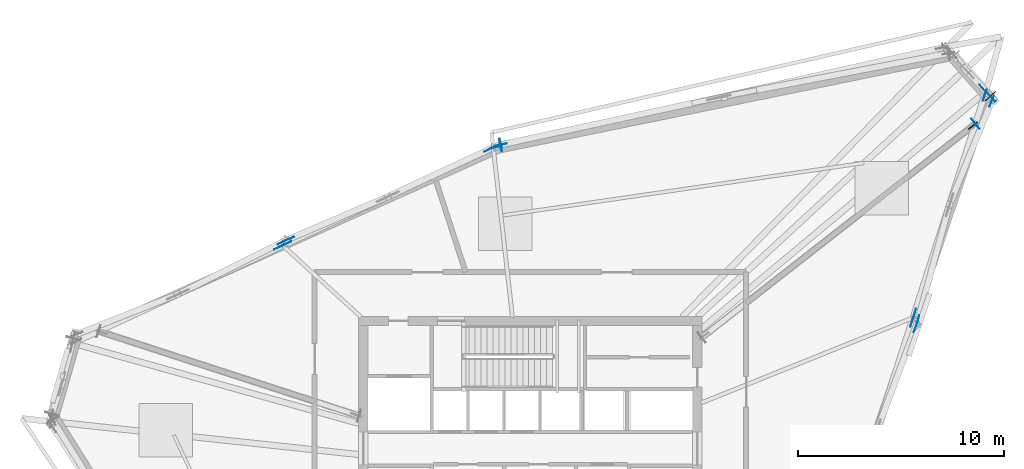
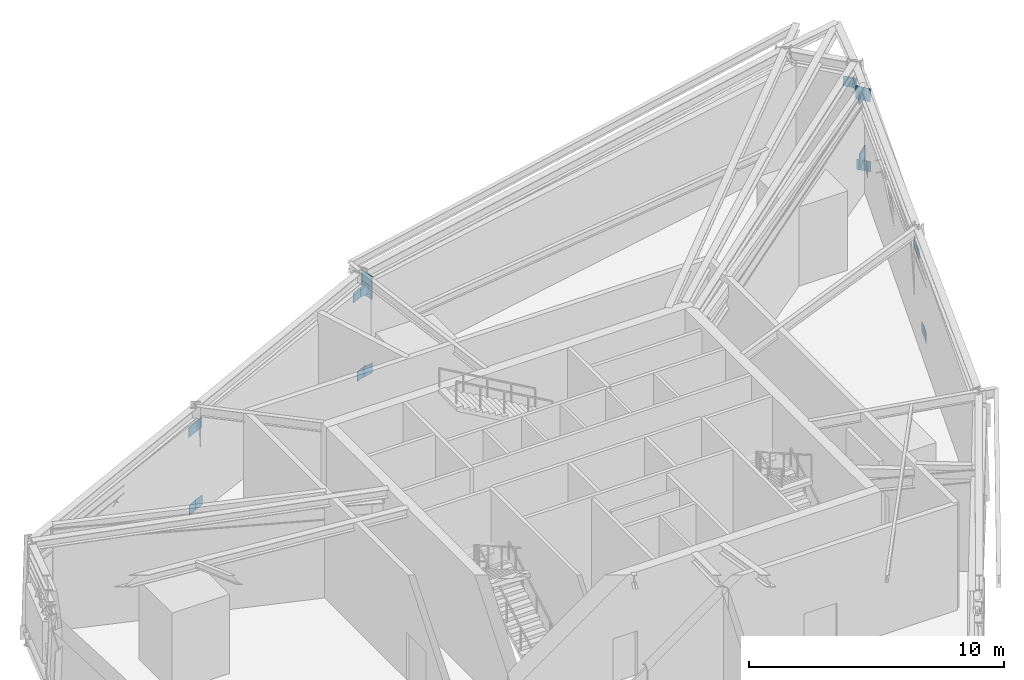
# One storey, part 7 of 15: 22 plates.
"""IFC4 building model written with IfcOpenShell, lengths in metres."""

from ifc_helpers import new_model, si_unit, direction, frame, origin, origin_2d, place, context, subcontext, project, spatial, rectangle, extrude, source, transform, mapped, material, type_object, element, save


model = new_model("IFC4")

# Units and contexts
model_context = context("Model", 3, precision=1e-05, world=origin(), true_north=direction((0.0, 1.0)))
body_context = subcontext(model_context, "Body", "Model", "MODEL_VIEW")
ifc_project = project(units=[si_unit("LENGTHUNIT", "METRE"), si_unit("AREAUNIT", "SQUARE_METRE"), si_unit("VOLUMEUNIT", "CUBIC_METRE"), si_unit("PLANEANGLEUNIT", "RADIAN"), si_unit("MASSUNIT", "GRAM", prefix="KILO")], contexts=[model_context])

# Site, building, storey
site_placement = place(None, origin())
site = spatial("IfcSite", under=ifc_project, at=site_placement, CompositionType="ELEMENT")
building_placement = place(site_placement, origin())
building = spatial("IfcBuilding", under=site, at=building_placement, Name="Olszyna Solenne Hotel", CompositionType="ELEMENT")
storey_placement = place(building_placement, frame((0.0, 0.0, 204.300048828125)))
storey = spatial("IfcBuildingStorey", under=building, at=storey_placement, Name="L54", CompositionType="ELEMENT", Elevation=204.300048828125)

# Plates
ifc_material_1 = material(Name="Steel S460M", Category="steel")
plate_type_1 = type_object("IfcPlateType", Name="GP-CAP2", PredefinedType="USERDEFINED", material=ifc_material_1)
shared_shape_1 = source(origin(), body_context, "Body", "SweptSolid", [
    extrude(rectangle(XDim=0.030029296875, YDim=0.6201171875, at=origin_2d()), origin(), (0.0, 0.0, 1.0), 0.6201171875),
])
for number, where, z_axis, x_axis, name in (
    (1, (59.654052734375, 43.51806640625, 4.31982421875), (0.0, 0.0, 1.0), (0.788010753607, 0.615661475326, 0.0), "Hollow section end-cap plate GP-CAP2 CP-OC-OC-L54-02-2"),
    (2, (36.5615234375, 42.494140625, 3.619873046875), (0.0, 0.0, 1.0), (-0.979785280755, -0.200052002278, 0.0), "Hollow section end-cap plate GP-CAP2 CP-WT-WT-L54-11-2"),
    (3, (36.5615234375, 42.494140625, 4.119873046875), (0.0, 0.0, 1.0), (-0.979785280755, -0.200052002278, 0.0), "Hollow section end-cap plate GP-CAP2 CP-WT-WT-L54-12-2"),
):
    element("IfcPlate", number, at=place(storey_placement, frame(where, z_axis=z_axis, x_axis=x_axis)), inside=storey, type_object=plate_type_1, Name=name, ObjectType="GUSSET_PLATE", PredefinedType="USERDEFINED", context=body_context, shape_type="MappedRepresentation", body=[
        mapped(shared_shape_1, transform((0.0, 0.0, 0.0), x_axis=(1.0, 0.0, 0.0), y_axis=(0.0, 1.0, 0.0), z_axis=(0.0, 0.0, 1.0), scale=1.0)),
    ])
ifc_material_2 = material(Name="Steel S355J2", Category="steel")
plate_type_2 = type_object("IfcPlateType", Name="GP-ND2", PredefinedType="USERDEFINED", material=ifc_material_2)
shared_shape_2 = source(origin(), body_context, "Body", "SweptSolid", [
    extrude(rectangle(XDim=0.56005859375, YDim=0.02001953125, at=origin_2d()), origin(), (0.0, 0.0, 1.0), 0.47998046875),
])
for number, where, z_axis, x_axis, name in (
    (4, (60.4365234375, 44.8037109375, -0.115966796875), (0.0, 0.0, 1.0), (-0.679185142834, 0.733966989553, 0.0), "Brace end connection gusset plate GP-ND2 EP-BR-L54-1-1"),
    (5, (60.037109375, 45.2119140625, 3.7900390625), (0.0, 0.0, 1.0), (-0.6749465546, 0.737866619677, 0.0), "Brace end connection gusset plate GP-ND2 EP-CH-L54-01-1"),
    (6, (60.42431640625, 44.818115234375, -0.093505859375), (0.0, 0.0, 1.0), (-0.682763857781, 0.730639113728, 0.0), "Brace end connection gusset plate GP-ND2 EP-BT-L54-01-1-1"),
    (7, (36.345703125, 42.388916015625, 3.7900390625), (0.0, 0.0, 1.0), (-0.976068816814, -0.217461869863, 0.0), "Brace end connection gusset plate GP-ND2 EP-CH-L54-02-2"),
    (8, (36.567626953125, 42.4970703125, -0.172119140625), (0.0, 0.0, 1.0), (0.977194059589, 0.212348227928, 0.0), "Brace end connection gusset plate GP-ND2 EP-BT-L54-02-2-1"),
    (9, (36.0068359375, 42.273681640625, 3.7900390625), (0.0, 0.0, 1.0), (-0.906749854826, -0.421668946893, 0.0), "Brace end connection gusset plate GP-ND2 EP-CH-L54-03-1"),
    (10, (26.114501953125, 37.6728515625, 3.7900390625), (0.0, 0.0, 1.0), (-0.906749854826, -0.421668946893, 0.0), "Brace end connection gusset plate GP-ND2 EP-CH-L54-03-2"),
    (11, (36.2587890625, 42.39599609375, -0.140869140625), (0.0, 0.0, 1.0), (-0.906381534034, -0.422460074755, 0.0), "Brace end connection gusset plate GP-ND2 EP-BT-L54-03-1-1"),
    (12, (26.24365234375, 37.90283203125, -0.13623046875), (0.0, 0.0, 1.0), (0.918722300355, 0.394904209689, 0.0), "Brace end connection gusset plate GP-ND2 EP-BT-L54-03-2-1"),
    (13, (25.7880859375, 37.52099609375, 3.7900390625), (0.0, 0.0, 1.0), (-0.906749854826, -0.421668946893, 0.0), "Brace end connection gusset plate GP-ND2 EP-CH-L54-04-1"),
    (14, (25.96435546875, 37.774169921875, -0.140625), (0.0, 0.0, 1.0), (-0.894934361602, -0.44619781311, 0.0), "Brace end connection gusset plate GP-ND2 EP-BT-L54-04-1-1"),
    (15, (56.5703125, 33.910400390625, 3.7900390625), (0.0, 0.0, 1.0), (0.305861478234, 0.952076024345, 0.0), "Brace end connection gusset plate GP-ND2 EP-CH-L54-11-2"),
    (16, (56.7509765625, 33.6376953125, -0.1376953125), (0.0, 0.0, 1.0), (-0.350697773643, -0.936488692704, 0.0), "Brace end connection gusset plate GP-ND2 EP-BT-L54-11-2-1"),
    (17, (56.68017578125, 34.253173828125, 3.7900390625), (0.0, 0.0, 1.0), (0.305861478234, 0.952076024345, 0.0), "Brace end connection gusset plate GP-ND2 EP-CH-L54-12-1"),
    (18, (60.103759765625, 44.90771484375, 3.7900390625), (0.0, 0.0, 1.0), (0.305861478234, 0.952076024345, 0.0), "Brace end connection gusset plate GP-ND2 EP-CH-L54-12-2"),
    (19, (56.846923828125, 33.931640625, -0.14208984375), (0.0, 0.0, 1.0), (0.263873049965, 0.964557418458, 0.0), "Brace end connection gusset plate GP-ND2 EP-BT-L54-12-1-1"),
    (20, (60.436279296875, 44.601318359375, -0.137939453125), (0.0, 0.0, 1.0), (-0.377032668542, -0.926199960512, 0.0), "Brace end connection gusset plate GP-ND2 EP-BT-L54-12-2-1"),
):
    element("IfcPlate", number, at=place(storey_placement, frame(where, z_axis=z_axis, x_axis=x_axis)), inside=storey, type_object=plate_type_2, Name=name, ObjectType="GUSSET_PLATE", PredefinedType="USERDEFINED", context=body_context, shape_type="MappedRepresentation", body=[
        mapped(shared_shape_2, transform((0.0, 0.0, 0.0), x_axis=(1.0, 0.0, 0.0), y_axis=(0.0, 1.0, 0.0), z_axis=(0.0, 0.0, 1.0), scale=1.0)),
    ])
plate_type_3 = type_object("IfcPlateType", Name="GP-ND1", PredefinedType="USERDEFINED", material=ifc_material_1)
shared_shape_3 = source(origin(), body_context, "Body", "SweptSolid", [
    extrude(rectangle(XDim=0.56005859375, YDim=0.06005859375, at=origin_2d()), origin(), (0.0, 0.0, 1.0), 0.47998046875),
])
plate_1_placement = place(storey_placement, frame((59.531982421875, 43.4228515625, 4.38427734375), z_axis=(0.0, 0.0, 1.0), x_axis=(0.788010753607, 0.615661475326, 0.0)))
element("IfcPlate", 21, at=plate_1_placement, inside=storey, type_object=plate_type_3, Name="Brace end connection gusset plate GP-ND1 EP-OU-L54-02-2", ObjectType="GUSSET_PLATE", PredefinedType="USERDEFINED", context=body_context, shape_type="MappedRepresentation", body=[
    mapped(shared_shape_3, transform((0.0, 0.0, 0.0), x_axis=(1.0, 0.0, 0.0), y_axis=(0.0, 1.0, 0.0), z_axis=(0.0, 0.0, 1.0), scale=1.0)),
])
plate_type_4 = type_object("IfcPlateType", Name="GP-CAP1", PredefinedType="USERDEFINED", material=ifc_material_1)
shared_shape_4 = source(origin(), body_context, "Body", "SweptSolid", [
    extrude(rectangle(XDim=0.0400390625, YDim=0.659912109375, at=origin_2d()), origin(), (0.0, 0.0, 1.0), 0.659912109375),
])
plate_2_placement = place(storey_placement, frame((60.385498046875, 44.864013671875, 0.22021484375), z_axis=(0.0, 0.0, 1.0), x_axis=(-0.66327338299, 0.748377190605, 0.0)))
element("IfcPlate", 22, at=plate_2_placement, inside=storey, type_object=plate_type_4, Name="Hollow section end-cap plate GP-CAP1 CP-CTB-CTB-L54-1-1", ObjectType="GUSSET_PLATE", PredefinedType="USERDEFINED", context=body_context, shape_type="MappedRepresentation", body=[
    mapped(shared_shape_4, transform((0.0, 0.0, 0.0), x_axis=(1.0, 0.0, 0.0), y_axis=(0.0, 1.0, 0.0), z_axis=(0.0, 0.0, 1.0), scale=1.0)),
])

save(model, "model.ifc")
